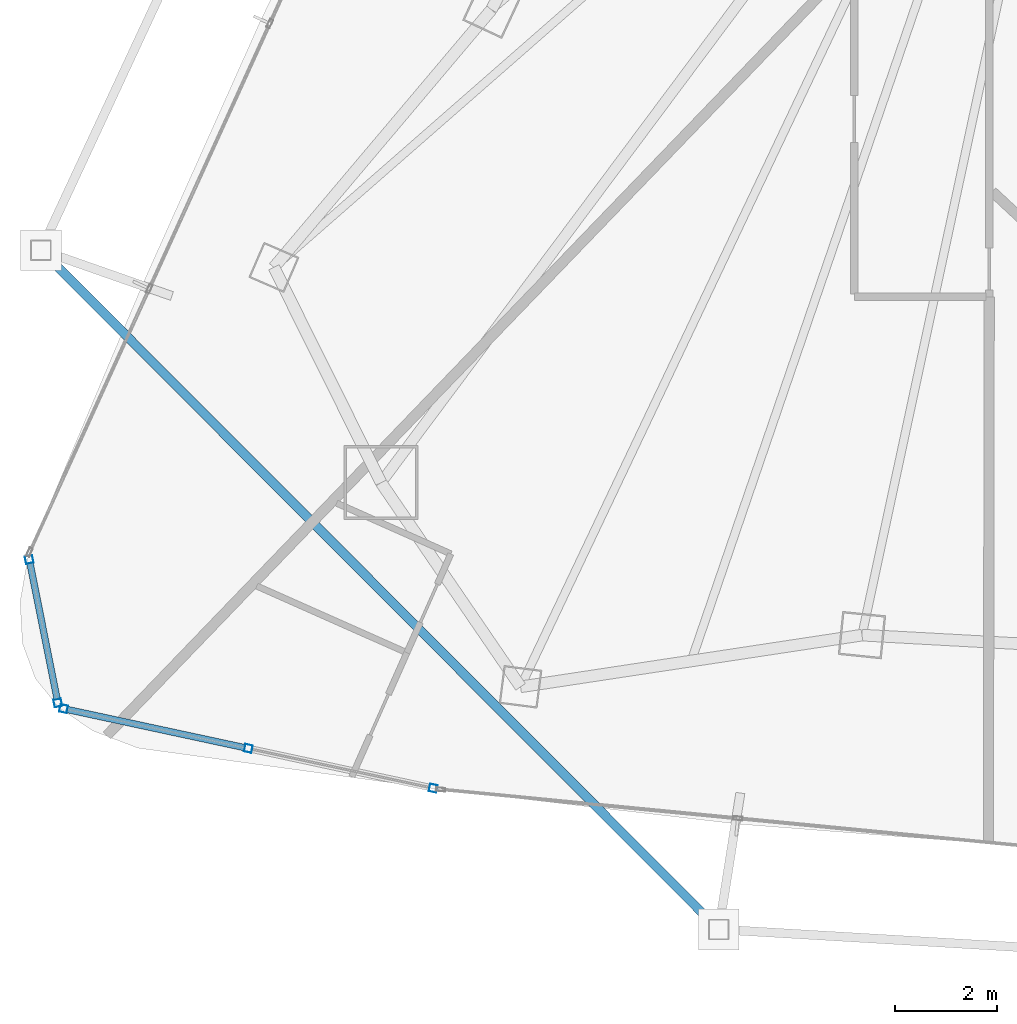
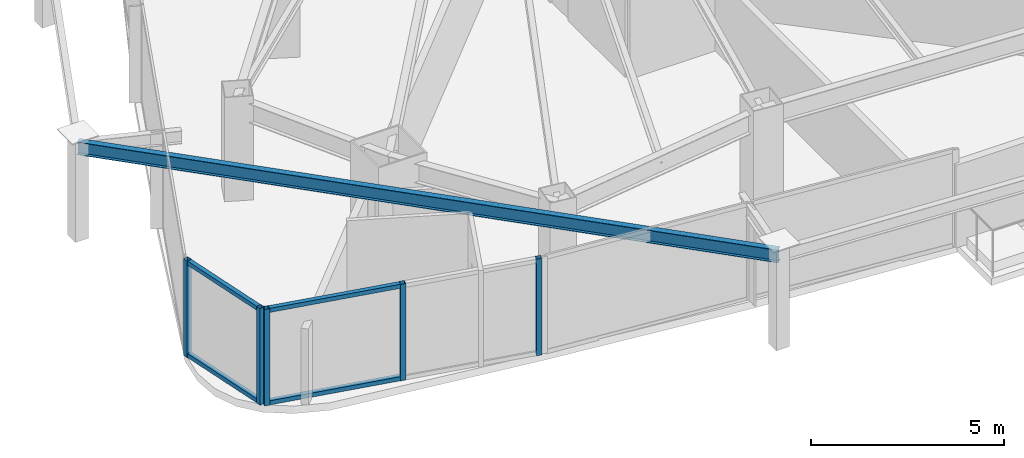
# One storey, part 2 of 31: 9 members, 1 beam, 2 elements without a shape of their own.
"""IFC4 building model written with IfcOpenShell, lengths in metres."""

import ifcopenshell
import ifcopenshell.guid

model = None  # the IFC model being written
_history = None  # IfcOwnerHistory: only IFC2X3 demands one
_inside = {}  # id of a spatial element -> (the spatial element, [elements in it])
_under = {}  # id of a project, library or spatial element -> (it, [spatial elements below it])
_declared = {}  # id of a project -> (the project, [libraries it declares])
_typed = {}  # id of a type object -> (the type object, [elements of that type])
_made_of = {}  # id of a material, layer set ... -> (it, [elements and type objects made of it])


def new_model(schema):
    """Start an empty IFC model of exactly this schema.

    Asked for "IFC4X3", IfcOpenShell would pick the latest addendum, in which some entities
    have other attributes; the version numbers below select the first issue.
    IFC2X3 requires an IfcOwnerHistory on every rooted entity: one is made here for all.
    """
    global model, _history
    if schema == "IFC4X3":
        model = ifcopenshell.file(schema_version=(4, 3, 0, 0))
    else:
        model = ifcopenshell.file(schema=schema)
    _inside.clear()
    _under.clear()
    _declared.clear()
    _typed.clear()
    _made_of.clear()
    _history = None
    if model.schema == "IFC2X3":
        org = make("IfcOrganization", Name="unknown")
        user = make(
            "IfcPersonAndOrganization",
            ThePerson=make("IfcPerson", FamilyName="unknown"),
            TheOrganization=org,
        )
        app = make(
            "IfcApplication",
            ApplicationDeveloper=org,
            Version="unknown",
            ApplicationFullName="unknown",
            ApplicationIdentifier="unknown",
        )
        _history = make(
            "IfcOwnerHistory",
            OwningUser=user,
            OwningApplication=app,
            ChangeAction="ADDED",
            CreationDate=0,
        )
    return model


def make(cls, **values):
    """One entity of the class cls with the attributes given. An attribute that is None is left unset."""
    return model.create_entity(
        cls, **{name: value for name, value in values.items() if value is not None}
    )


def rooted(cls, **values):
    """An entity with a GlobalId (a new one), such as an element, a storey or a relation."""
    return make(cls, GlobalId=ifcopenshell.guid.new(), OwnerHistory=_history, **values)


def si_unit(unit_type, name, prefix=None):
    """IfcSIUnit, for example si_unit("LENGTHUNIT", "METRE", prefix="MILLI")."""
    return make("IfcSIUnit", UnitType=unit_type, Prefix=prefix, Name=name)


def assignment(units):
    """IfcUnitAssignment: the units of a project."""
    return None if units is None else make("IfcUnitAssignment", Units=units)


def point(xyz):
    """IfcCartesianPoint."""
    return None if xyz is None else make("IfcCartesianPoint", Coordinates=xyz)


def direction(xyz):
    """IfcDirection."""
    return None if xyz is None else make("IfcDirection", DirectionRatios=xyz)


def frame(location, z_axis=None, x_axis=None):
    """IfcAxis2Placement3D, a coordinate frame: its origin and axes. An axis left out is left unset."""
    return make(
        "IfcAxis2Placement3D",
        Location=point(location),
        Axis=direction(z_axis),
        RefDirection=direction(x_axis),
    )


def frame_2d(location, x_axis=None):
    """IfcAxis2Placement2D, a coordinate frame in the plane: its origin and x axis."""
    return make(
        "IfcAxis2Placement2D", Location=point(location), RefDirection=direction(x_axis)
    )


def origin():
    """The frame at (0, 0, 0) with its axes left unset."""
    return frame((0.0, 0.0, 0.0))


def origin_2d():
    """The frame at (0, 0) in the plane with its x axis left unset."""
    return frame_2d((0.0, 0.0))


def place(relative_to, where):
    """IfcLocalPlacement: puts the frame where relative to a parent placement (None: the world)."""
    return make(
        "IfcLocalPlacement", PlacementRelTo=relative_to, RelativePlacement=where
    )


def context(
    kind, dimensions, precision=None, world=None, true_north=None, identifier=None
):
    """IfcGeometricRepresentationContext, for example the 3D "Model" context."""
    return make(
        "IfcGeometricRepresentationContext",
        ContextIdentifier=identifier,
        ContextType=kind,
        CoordinateSpaceDimension=dimensions,
        Precision=precision,
        WorldCoordinateSystem=world,
        TrueNorth=true_north,
    )


def subcontext(parent, identifier, kind, view, scale=None):
    """IfcGeometricRepresentationSubContext, for example "Body" below "Model"."""
    return make(
        "IfcGeometricRepresentationSubContext",
        ContextIdentifier=identifier,
        ContextType=kind,
        ParentContext=parent,
        TargetScale=scale,
        TargetView=view,
    )


def project(units=None, contexts=None):
    """IfcProject with its units and contexts."""
    return rooted(
        "IfcProject",
        Name="project",
        RepresentationContexts=contexts,
        UnitsInContext=assignment(units),
    )


def spatial(cls, under=None, at=None, **own):
    """A site, building, storey or space (cls), placed at a placement, below another one or the project."""
    s = rooted(cls, ObjectPlacement=at, **own)
    if under is not None:
        _under.setdefault(under.id(), (under, []))[1].append(s)
    return s


def profile(cls, at=None, kind="AREA", **sizes):
    """A parametric profile (cls). Its sizes go by their IFC names, for example OverallWidth=200.0."""
    return make(cls, ProfileType=kind, Position=at, **sizes)


def hollow_rectangle(**sizes):
    """IfcRectangleHollowProfileDef."""
    return profile("IfcRectangleHollowProfileDef", **sizes)


def i_section(**sizes):
    """IfcIShapeProfileDef."""
    return profile("IfcIShapeProfileDef", **sizes)


def extrude(swept, where, along, depth):
    """IfcExtrudedAreaSolid: the profile swept, set in the frame where, extruded along a direction by depth."""
    return make(
        "IfcExtrudedAreaSolid",
        SweptArea=swept,
        Position=where,
        ExtrudedDirection=direction(along),
        Depth=depth,
    )


def shape(context_of_items, identifier, shape_type, items):
    """IfcShapeRepresentation: the items that make up one representation, for example the "Body"."""
    return make(
        "IfcShapeRepresentation",
        ContextOfItems=context_of_items,
        RepresentationIdentifier=identifier,
        RepresentationType=shape_type,
        Items=items,
    )


def material(Name=None, Category=None):
    """IfcMaterial."""
    return make("IfcMaterial", Name=Name, Category=Category)


def layer(
    of_material, thickness, ventilated=None, Name=None, Category=None, Priority=None
):
    """IfcMaterialLayer: one layer of a wall or slab, of a material (None: an air gap)."""
    return make(
        "IfcMaterialLayer",
        Material=of_material,
        LayerThickness=thickness,
        IsVentilated=ventilated,
        Name=Name,
        Category=Category,
        Priority=Priority,
    )


def layer_set(layers, Name=None):
    """IfcMaterialLayerSet."""
    return make("IfcMaterialLayerSet", MaterialLayers=layers, LayerSetName=Name)


def material_profile(
    of_material, cross_section, Name=None, Category=None, Priority=None
):
    """IfcMaterialProfile: a cross section and its material."""
    return make(
        "IfcMaterialProfile",
        Name=Name,
        Material=of_material,
        Profile=cross_section,
        Priority=Priority,
        Category=Category,
    )


def profile_set(profiles, Name=None, composite=None):
    """IfcMaterialProfileSet."""
    return make(
        "IfcMaterialProfileSet",
        Name=Name,
        MaterialProfiles=profiles,
        CompositeProfile=composite,
    )


def made_of(thing, what):
    """Note that an element or type object is made of a material, layer set ...; save() writes the relation."""
    if what is not None:
        _made_of.setdefault(what.id(), (what, []))[1].append(thing)
    return thing


def type_object(cls, material=None, **own):
    """A type object (cls), such as IfcWallType, which elements share."""
    return made_of(rooted(cls, **own), material)


def element(
    cls,
    number,
    at=None,
    inside=None,
    cuts=None,
    type_object=None,
    material=None,
    context=None,
    identifier="Body",
    shape_type=None,
    held_by="IfcProductDefinitionShape",
    body=None,
    shapes=None,
    **own,
):
    """One element of the class cls, such as IfcWall. Its Tag is "e" and its number.

    at: its placement. inside: the storey or other place that contains it. cuts: it is an
    opening in that element (IfcRelVoidsElement). A single representation is given by context,
    identifier, shape_type and body (its items); several are given by shapes. held_by: the class
    of the entity that holds the representations. save() writes the other relations.
    """
    e = rooted(cls, Tag="e%d" % number, ObjectPlacement=at, **own)
    if body is not None:
        shapes = [shape(context, identifier, shape_type, body)]
    if shapes is not None:
        e.Representation = make(held_by, Representations=shapes)
    if inside is not None:
        _inside.setdefault(inside.id(), (inside, []))[1].append(e)
    if cuts is not None:
        rooted(
            "IfcRelVoidsElement", RelatingBuildingElement=cuts, RelatedOpeningElement=e
        )
    if type_object is not None:
        _typed.setdefault(type_object.id(), (type_object, []))[1].append(e)
    return made_of(e, material)


def aggregate(whole, parts):
    """IfcRelAggregates: a whole, such as a stair, and the parts it consists of."""
    return rooted("IfcRelAggregates", RelatingObject=whole, RelatedObjects=parts)


def save(model, path):
    """Write the relations noted so far, then the file.

    IfcRelAggregates (storeys below a building ...), IfcRelContainedInSpatialStructure (elements
    in a storey), IfcRelDefinesByType, IfcRelAssociatesMaterial and IfcRelDeclares: one each for
    every whole, place, type object, material and project.
    """
    for whole, parts in _under.values():
        aggregate(whole, parts)
    for where, things in _inside.values():
        rooted(
            "IfcRelContainedInSpatialStructure",
            RelatedElements=things,
            RelatingStructure=where,
        )
    for kind, things in _typed.values():
        rooted("IfcRelDefinesByType", RelatedObjects=things, RelatingType=kind)
    for what, things in _made_of.values():
        rooted("IfcRelAssociatesMaterial", RelatedObjects=things, RelatingMaterial=what)
    for by, libraries in _declared.values():
        rooted("IfcRelDeclares", RelatingContext=by, RelatedDefinitions=libraries)
    model.write(path)


model = new_model("IFC4")

# Units and contexts
model_context = context("Model", 3, precision=1e-05, world=origin(), true_north=direction((0.0, 1.0)))
body_context = subcontext(model_context, "Body", "Model", "MODEL_VIEW")
ifc_project = project(units=[si_unit("LENGTHUNIT", "METRE"), si_unit("AREAUNIT", "SQUARE_METRE"), si_unit("VOLUMEUNIT", "CUBIC_METRE"), si_unit("PLANEANGLEUNIT", "RADIAN"), si_unit("MASSUNIT", "GRAM", prefix="KILO")], contexts=[model_context])

# Site, building, storey
site_placement = place(None, origin())
site = spatial("IfcSite", under=ifc_project, at=site_placement, CompositionType="ELEMENT")
building_placement = place(site_placement, origin())
building = spatial("IfcBuilding", under=site, at=building_placement, Name="Orvanel Arch Residences", CompositionType="ELEMENT")
storey_placement = place(building_placement, frame((0.0, 0.0, 133.10009765625)))
storey = spatial("IfcBuildingStorey", under=building, at=storey_placement, Name="L37", CompositionType="ELEMENT", Elevation=133.10009765625)

# Curtain wall, members
ifc_material_1 = material(Name="Bronze-anodised aluminium AA6063-T6", Category="aluminium")
ifc_layer = layer(ifc_material_1, 0.18994140625)
ifc_layer_set = layer_set([ifc_layer], Name="Bronze-anodised aluminium AA6063-T6")
curtain_wall_type = type_object("IfcCurtainWallType", Name="CW5-CRN-SYS", PredefinedType="NOTDEFINED", material=ifc_layer_set)
curtain_wall_1_placement = place(storey_placement, origin())
curtain_wall_1 = element("IfcCurtainWall", 1, at=curtain_wall_1_placement, inside=storey, type_object=curtain_wall_type, Name="L37 CW5-CRN-SYS Unitised Curtain Wall", PredefinedType="NOTDEFINED")
ifc_material_profile_1 = material_profile(ifc_material_1, hollow_rectangle(XDim=0.14990234375, YDim=0.14990234375, WallThickness=0.0048828125, at=origin_2d()), Name="ALU150x150x5")
ifc_profile_set_1 = profile_set([ifc_material_profile_1], Name="Bronze-anodised aluminium AA6063-T6")
member_type_1 = type_object("IfcMemberType", Name="MUL-150x150", PredefinedType="MULLION", material=ifc_profile_set_1)
member_1_placement = place(storey_placement, frame((7.28759765625, 8.84033203125, 0.0), z_axis=(0.0, 0.0, 1.0), x_axis=(0.980644227977, 0.195798105544, 0.0)))
member_1 = element("IfcMember", 2, at=member_1_placement, type_object=member_type_1, Name="CW-S5 mullion 1", PredefinedType="MULLION", context=body_context, shape_type="SweptSolid", body=[
    extrude(hollow_rectangle(XDim=0.14990234375, YDim=0.14990234375, WallThickness=0.0048828125, at=origin_2d()), origin(), (0.0, 0.0, 1.0), 3.059814453125),
])
member_2_placement = place(storey_placement, frame((7.850341796875, 6.0224609375, 0.0), z_axis=(0.0, 0.0, 1.0), x_axis=(0.980644227977, 0.195798105544, 0.0)))
member_2 = element("IfcMember", 3, at=member_2_placement, type_object=member_type_1, Name="CW-S5 mullion 2", PredefinedType="MULLION", context=body_context, shape_type="SweptSolid", body=[
    extrude(hollow_rectangle(XDim=0.14990234375, YDim=0.14990234375, WallThickness=0.0048828125, at=origin_2d()), origin(), (0.0, 0.0, 1.0), 3.059814453125),
])

curtain_wall_2_placement = place(storey_placement, origin())
curtain_wall_2 = element("IfcCurtainWall", 4, at=curtain_wall_2_placement, inside=storey, type_object=curtain_wall_type, Name="L37 CW5-CRN-SYS Unitised Curtain Wall", PredefinedType="NOTDEFINED")
member_3_placement = place(storey_placement, frame((7.96240234375, 5.9091796875, 0.0), z_axis=(0.0, 0.0, 1.0), x_axis=(0.210385306266, 0.977618546728, 0.0)))
member_3 = element("IfcMember", 5, at=member_3_placement, type_object=member_type_1, Name="CW-S5 mullion 1", PredefinedType="MULLION", context=body_context, shape_type="SweptSolid", body=[
    extrude(hollow_rectangle(XDim=0.14990234375, YDim=0.14990234375, WallThickness=0.0048828125, at=origin_2d()), origin(), (0.0, 0.0, 1.0), 3.059814453125),
])
member_4_placement = place(storey_placement, frame((11.592529296875, 5.1279296875, 0.0), z_axis=(0.0, 0.0, 1.0), x_axis=(0.210385306266, 0.977618546728, 0.0)))
member_4 = element("IfcMember", 6, at=member_4_placement, type_object=member_type_1, Name="CW-S5 mullion 2", PredefinedType="MULLION", context=body_context, shape_type="SweptSolid", body=[
    extrude(hollow_rectangle(XDim=0.14990234375, YDim=0.14990234375, WallThickness=0.0048828125, at=origin_2d()), origin(), (0.0, 0.0, 1.0), 3.059814453125),
])
member_5_placement = place(storey_placement, frame((15.22265625, 4.3466796875, 0.0), z_axis=(0.0, 0.0, 1.0), x_axis=(0.210385306266, 0.977618546728, 0.0)))
member_5 = element("IfcMember", 7, at=member_5_placement, type_object=member_type_1, Name="CW-S5 mullion 3", PredefinedType="MULLION", context=body_context, shape_type="SweptSolid", body=[
    extrude(hollow_rectangle(XDim=0.14990234375, YDim=0.14990234375, WallThickness=0.0048828125, at=origin_2d()), origin(), (0.0, 0.0, 1.0), 3.059814453125),
])

# Beam
ifc_material_2 = material(Name="Structural steel AS/NZS 3679.1 Grade 300 (300 MPa)", Category="steel")
ifc_material_profile_2 = material_profile(ifc_material_2, i_section(OverallWidth=0.177978515625, OverallDepth=0.406005859375, WebThickness=0.0078125, FlangeThickness=0.0126953125, at=origin_2d()), Name="410UB59.7")
ifc_profile_set_2 = profile_set([ifc_material_profile_2], Name="Structural steel AS/NZS 3679.1 Grade 300 (300 MPa)")
beam_type = type_object("IfcBeamType", Name="OB-410UB-EXT", PredefinedType="SPANDREL", material=ifc_profile_set_2)
beam_placement = place(storey_placement, frame((7.51708984375, 14.9189453125, 2.85693359375), z_axis=(0.706361882732, -0.707850895756, 0.0), x_axis=(0.707850895756, 0.706361882732, 0.0)))
element("IfcBeam", 8, at=beam_placement, inside=storey, type_object=beam_type, Name="L37 Outer Perimeter Floor Ring Beam 04", PredefinedType="SPANDREL", context=body_context, shape_type="SweptSolid", body=[
    extrude(i_section(OverallWidth=0.177978515625, OverallDepth=0.406005859375, WebThickness=0.0078125, FlangeThickness=0.0126953125, at=origin_2d()), origin(), (0.0, 0.0, 1.0), 18.85546875),
])

# Member
ifc_material_profile_3 = material_profile(ifc_material_1, hollow_rectangle(XDim=0.1298828125, YDim=0.1298828125, WallThickness=0.00439453125, at=origin_2d()), Name="ALU130x130x4.5")
ifc_profile_set_3 = profile_set([ifc_material_profile_3], Name="Bronze-anodised aluminium AA6063-T6")
member_type_2 = type_object("IfcMemberType", Name="TRN-130x130", PredefinedType="USERDEFINED", material=ifc_profile_set_3)
member_6_placement = place(storey_placement, frame((7.302490234375, 8.766845703125, 0.06494140625), z_axis=(0.195788568652, -0.980646132091, 0.0), x_axis=(0.980646132091, 0.195788568652, 0.0)))
member_6 = element("IfcMember", 9, at=member_6_placement, type_object=member_type_2, Name="CW-S5 transom 1.1", ObjectType="TRANSOM", PredefinedType="USERDEFINED", context=body_context, shape_type="SweptSolid", body=[
    extrude(hollow_rectangle(XDim=0.1298828125, YDim=0.1298828125, WallThickness=0.00439453125, at=origin_2d()), origin(), (0.0, 0.0, 1.0), 2.723388671875),
])

member_7_placement = place(storey_placement, frame((7.302490234375, 8.766845703125, 2.994873046875), z_axis=(0.195788568652, -0.980646132091, 0.0), x_axis=(0.980646132091, 0.195788568652, 0.0)))
member_7 = element("IfcMember", 10, at=member_7_placement, type_object=member_type_2, Name="CW-S5 transom 1.2", ObjectType="TRANSOM", PredefinedType="USERDEFINED", context=body_context, shape_type="SweptSolid", body=[
    extrude(hollow_rectangle(XDim=0.1298828125, YDim=0.1298828125, WallThickness=0.00439453125, at=origin_2d()), origin(), (0.0, 0.0, 1.0), 2.723388671875),
])

aggregate(curtain_wall_1, [member_1, member_2, member_6, member_7])

member_8_placement = place(storey_placement, frame((8.03564453125, 5.8935546875, 0.06494140625), z_axis=(0.977614530448, -0.210403968253, 0.0), x_axis=(0.210403968253, 0.977614530448, 0.0)))
member_8 = element("IfcMember", 11, at=member_8_placement, type_object=member_type_2, Name="CW-S5 transom 1.1", ObjectType="TRANSOM", PredefinedType="USERDEFINED", context=body_context, shape_type="SweptSolid", body=[
    extrude(hollow_rectangle(XDim=0.1298828125, YDim=0.1298828125, WallThickness=0.00439453125, at=origin_2d()), origin(), (0.0, 0.0, 1.0), 3.5634765625),
])

member_9_placement = place(storey_placement, frame((8.03564453125, 5.8935546875, 2.994873046875), z_axis=(0.977614530448, -0.210403968253, 0.0), x_axis=(0.210403968253, 0.977614530448, 0.0)))
member_9 = element("IfcMember", 12, at=member_9_placement, type_object=member_type_2, Name="CW-S5 transom 1.2", ObjectType="TRANSOM", PredefinedType="USERDEFINED", context=body_context, shape_type="SweptSolid", body=[
    extrude(hollow_rectangle(XDim=0.1298828125, YDim=0.1298828125, WallThickness=0.00439453125, at=origin_2d()), origin(), (0.0, 0.0, 1.0), 3.5634765625),
])

aggregate(curtain_wall_2, [member_3, member_4, member_5, member_8, member_9])

save(model, "model.ifc")
